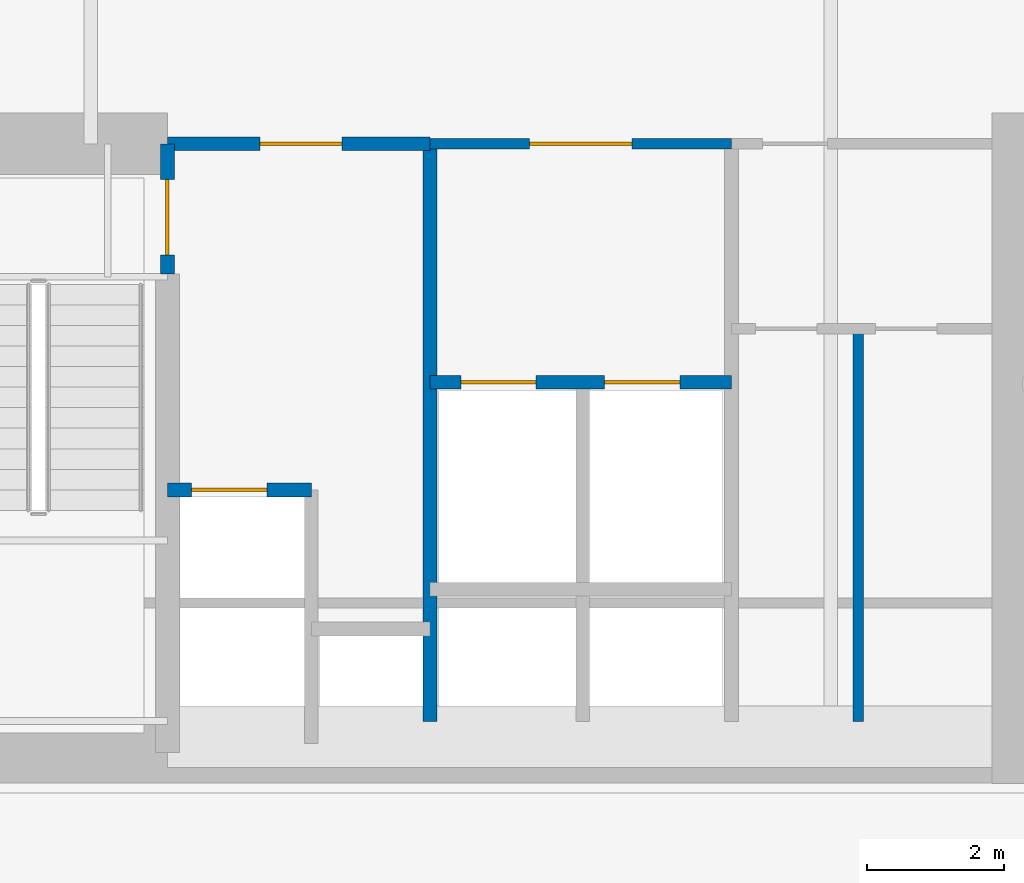
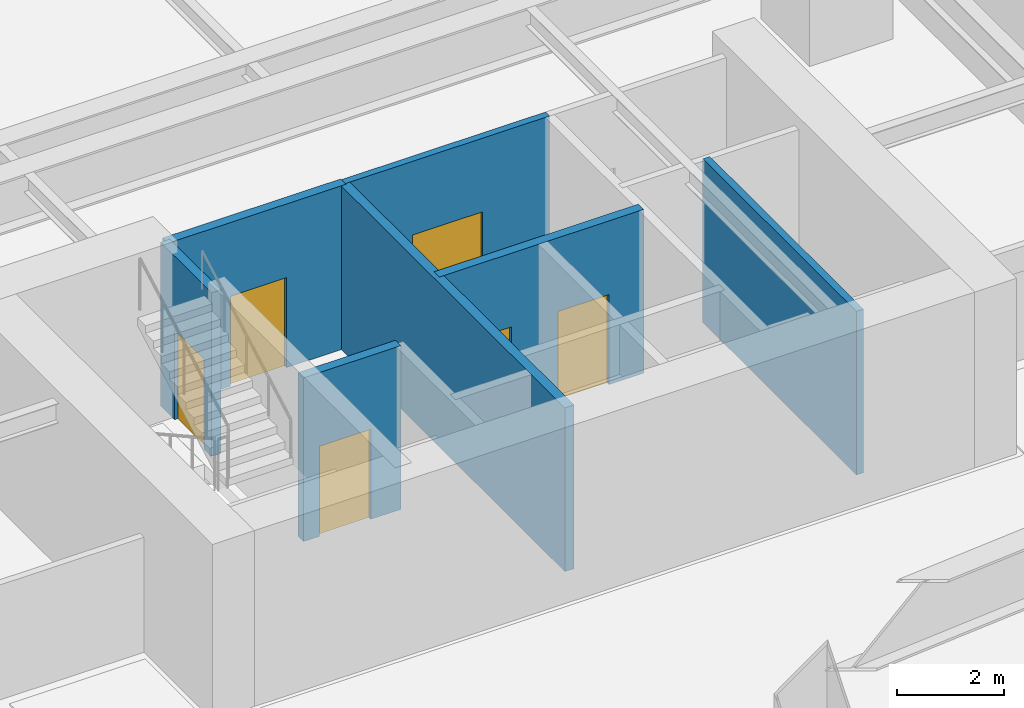
# One storey, part 13 of 25: 7 walls, 6 doors, 6 openings.
"""IFC4 building model written with IfcOpenShell, lengths in metres."""

from ifc_helpers import new_model, si_unit, direction, frame, frame_2d, origin, place, context, subcontext, project, spatial, rectangle, extrude, material, layer, layer_set, type_object, element, fill, save


model = new_model("IFC4")

# Units and contexts
model_context = context("Model", 3, precision=1e-05, world=origin(), true_north=direction((0.0, 1.0)))
body_context = subcontext(model_context, "Body", "Model", "MODEL_VIEW")
ifc_project = project(units=[si_unit("LENGTHUNIT", "METRE"), si_unit("AREAUNIT", "SQUARE_METRE"), si_unit("VOLUMEUNIT", "CUBIC_METRE"), si_unit("PLANEANGLEUNIT", "RADIAN"), si_unit("MASSUNIT", "GRAM", prefix="KILO")], contexts=[model_context])

# Site, building, storey
site_placement = place(None, origin())
site = spatial("IfcSite", under=ifc_project, at=site_placement, CompositionType="ELEMENT")
building_placement = place(site_placement, origin())
building = spatial("IfcBuilding", under=site, at=building_placement, Name="Qiaolan Cultural Towers", CompositionType="ELEMENT")
storey_placement = place(building_placement, frame((0.0, 0.0, 22.0)))
storey = spatial("IfcBuildingStorey", under=building, at=storey_placement, Name="L04", CompositionType="ELEMENT", Elevation=22.0)

# Wall, opening, door
ifc_material_1 = material(Name="Concrete C35 Fire Wall", Category="concrete")
ifc_layer_1 = layer(ifc_material_1, 0.199951171875)
ifc_layer_set_1 = layer_set([ifc_layer_1], Name="Concrete C35 Fire Wall")
wall_type_1 = type_object("IfcWallType", Name="WL-FIRE-200", PredefinedType="PARTITIONING", material=ifc_layer_set_1)
wall_1_placement = place(storey_placement, frame((25.719970703125, 21.60009765625, 0.0), z_axis=(0.0, 0.0, 1.0), x_axis=(0.0, -1.0, 0.0)))
wall_1 = element("IfcWall", 1, at=wall_1_placement, inside=storey, type_object=wall_type_1, Name="L04 T1-CS Smokeproof Stair Entry Wall", PredefinedType="PARTITIONING", context=body_context, shape_type="SweptSolid", body=[
    extrude(rectangle(XDim=1.900146484375, YDim=0.199951171875, at=frame_2d((0.9501953125, 0.0))), origin(), (0.0, 0.0, 1.0), 3.72509765625),
])
opening_1_placement = place(wall_1_placement, frame((0.52001953125, 0.0, 0.0)))
opening_1 = element("IfcOpeningElement", 2, at=opening_1_placement, cuts=wall_1, Name="Opening FD-04", PredefinedType="OPENING", context=body_context, shape_type="SweptSolid", body=[
    extrude(rectangle(XDim=1.10009765625, YDim=2.050048828125, at=frame_2d((0.550048828125, 1.02490234375))), frame((0.0, 0.10986328125, 0.0), z_axis=(0.0, -1.0, 0.0), x_axis=(1.0, 0.0, 0.0)), (0.0, 0.0, 1.0), 0.219970703125),
])
ifc_material_2 = material(Name="Galvanized Steel Command Fire Door", Category="steel")
door_type_1 = type_object("IfcDoorType", Name="DR-FD90-1100", OperationType="NOTDEFINED", PredefinedType="DOOR", material=ifc_material_2)
door_1_placement = place(opening_1_placement, origin())
door_1 = element("IfcDoor", 3, at=door_1_placement, inside=storey, type_object=door_type_1, Name="L04 ST-W1 Smokeproof Stair Fire Door", OperationType="SINGLE_SWING_LEFT", OverallHeight=2.050048828125, OverallWidth=1.10009765625, PredefinedType="DOOR", context=body_context, shape_type="SweptSolid", body=[
    extrude(rectangle(XDim=1.10009765625, YDim=2.050048828125, at=frame_2d((0.550048828125, 1.02490234375))), frame((0.0, 0.02490234375, 0.0), z_axis=(0.0, -1.0, 0.0), x_axis=(1.0, 0.0, 0.0)), (0.0, 0.0, 1.0), 0.050048828125),
])
fill(opening_1, door_1)

# Wall
wall_2_placement = place(storey_placement, frame((29.550048828125, 21.60009765625, 0.0), z_axis=(0.0, 0.0, 1.0), x_axis=(0.0, -1.0, 0.0)))
element("IfcWall", 4, at=wall_2_placement, inside=storey, type_object=wall_type_1, Name="L04 T1-CS Firefighting Zone Wall", PredefinedType="PARTITIONING", context=body_context, shape_type="SweptSolid", body=[
    extrude(rectangle(XDim=8.43017578125, YDim=0.199951171875, at=frame_2d((4.215087890625, 0.0))), origin(), (0.0, 0.0, 1.0), 3.72509765625),
])

# Wall, opening, door
wall_3_placement = place(storey_placement, frame((25.719970703125, 21.60009765625, 0.0), z_axis=(0.0, 0.0, 1.0), x_axis=(1.0, 0.0, 0.0)))
wall_3 = element("IfcWall", 5, at=wall_3_placement, inside=storey, type_object=wall_type_1, Name="L04 T1-CS Firefighting Lobby Front Wall", PredefinedType="PARTITIONING", context=body_context, shape_type="SweptSolid", body=[
    extrude(rectangle(XDim=3.830078125, YDim=0.199951171875, at=frame_2d((1.9150390625, 0.0))), origin(), (0.0, 0.0, 1.0), 3.72509765625),
])
opening_2_placement = place(wall_3_placement, frame((1.35009765625, 0.0, 0.0)))
opening_2 = element("IfcOpeningElement", 6, at=opening_2_placement, cuts=wall_3, Name="Opening FD-03", PredefinedType="OPENING", context=body_context, shape_type="SweptSolid", body=[
    extrude(rectangle(XDim=1.199951171875, YDim=2.050048828125, at=frame_2d((0.60009765625, 1.02490234375))), frame((0.0, 0.10986328125, 0.0), z_axis=(0.0, -1.0, 0.0), x_axis=(1.0, 0.0, 0.0)), (0.0, 0.0, 1.0), 0.219970703125),
])
ifc_material_3 = material(Name="Galvanized Steel Smokeproof Lobby Fire Door", Category="steel")
door_type_2 = type_object("IfcDoorType", Name="DR-FD90-1200", OperationType="NOTDEFINED", PredefinedType="DOOR", material=ifc_material_3)
door_2_placement = place(opening_2_placement, origin())
door_2 = element("IfcDoor", 7, at=door_2_placement, inside=storey, type_object=door_type_2, Name="L04 FFL-W1 Firefighting Lobby Fire Door", OperationType="SINGLE_SWING_LEFT", OverallHeight=2.050048828125, OverallWidth=1.199951171875, PredefinedType="DOOR", context=body_context, shape_type="SweptSolid", body=[
    extrude(rectangle(XDim=1.199951171875, YDim=2.050048828125, at=frame_2d((0.60009765625, 1.02490234375))), frame((0.0, 0.02490234375, 0.0), z_axis=(0.0, -1.0, 0.0), x_axis=(1.0, 0.0, 0.0)), (0.0, 0.0, 1.0), 0.050048828125),
])
fill(opening_2, door_2)

wall_4_placement = place(storey_placement, frame((25.719970703125, 16.550048828125, 0.0), z_axis=(0.0, 0.0, 1.0), x_axis=(1.0, 0.0, 0.0)))
wall_4 = element("IfcWall", 8, at=wall_4_placement, inside=storey, type_object=wall_type_1, Name="L04 T1-CS Firefighting Shaft Front Wall", PredefinedType="PARTITIONING", context=body_context, shape_type="SweptSolid", body=[
    extrude(rectangle(XDim=2.10009765625, YDim=0.199951171875, at=frame_2d((1.050048828125, 0.0))), origin(), (0.0, 0.0, 1.0), 3.72509765625),
])
opening_3_placement = place(wall_4_placement, frame((0.35009765625, 0.0, 0.0)))
opening_3 = element("IfcOpeningElement", 9, at=opening_3_placement, cuts=wall_4, Name="Opening LD-01", PredefinedType="OPENING", context=body_context, shape_type="SweptSolid", body=[
    extrude(rectangle(XDim=1.10009765625, YDim=2.050048828125, at=frame_2d((0.550048828125, 1.02490234375))), frame((0.0, 0.10986328125, 0.0), z_axis=(0.0, -1.0, 0.0), x_axis=(1.0, 0.0, 0.0)), (0.0, 0.0, 1.0), 0.219970703125),
])
ifc_material_4 = material(Name="Brushed Stainless Steel S30408 Centre-Parting Lift Landing Door", Category="steel")
door_type_3 = type_object("IfcDoorType", Name="DR-LIFT-1100", OperationType="NOTDEFINED", PredefinedType="DOOR", material=ifc_material_4)
door_3_placement = place(opening_3_placement, origin())
door_3 = element("IfcDoor", 10, at=door_3_placement, inside=storey, type_object=door_type_3, Name="L04 FFL-W1 Firefighting Lift Landing Door", OperationType="DOUBLE_DOOR_SLIDING", OverallHeight=2.050048828125, OverallWidth=1.10009765625, PredefinedType="DOOR", context=body_context, shape_type="SweptSolid", body=[
    extrude(rectangle(XDim=1.10009765625, YDim=2.050048828125, at=frame_2d((0.550048828125, 1.02490234375))), frame((0.0, 0.02490234375, 0.0), z_axis=(0.0, -1.0, 0.0), x_axis=(1.0, 0.0, 0.0)), (0.0, 0.0, 1.0), 0.050048828125),
])
fill(opening_3, door_3)

# Wall, openings, doors
wall_5_placement = place(storey_placement, frame((29.550048828125, 18.1201171875, 0.0), z_axis=(0.0, 0.0, 1.0), x_axis=(1.0, 0.0, 0.0)))
wall_5 = element("IfcWall", 11, at=wall_5_placement, inside=storey, type_object=wall_type_1, Name="L04 T1-CS Passenger Lift Shaft Front Wall", PredefinedType="PARTITIONING", context=body_context, shape_type="SweptSolid", body=[
    extrude(rectangle(XDim=4.39990234375, YDim=0.199951171875, at=frame_2d((2.199951171875, 0.0))), origin(), (0.0, 0.0, 1.0), 3.72509765625),
])
opening_4_placement = place(wall_5_placement, frame((0.449951171875, 0.0, 0.0)))
opening_4 = element("IfcOpeningElement", 12, at=opening_4_placement, cuts=wall_5, Name="Opening LD-01", PredefinedType="OPENING", context=body_context, shape_type="SweptSolid", body=[
    extrude(rectangle(XDim=1.10009765625, YDim=2.050048828125, at=frame_2d((0.550048828125, 1.02490234375))), frame((0.0, 0.10986328125, 0.0), z_axis=(0.0, -1.0, 0.0), x_axis=(1.0, 0.0, 0.0)), (0.0, 0.0, 1.0), 0.219970703125),
])
opening_5_placement = place(wall_5_placement, frame((2.550048828125, 0.0, 0.0)))
opening_5 = element("IfcOpeningElement", 13, at=opening_5_placement, cuts=wall_5, Name="Opening LD-01", PredefinedType="OPENING", context=body_context, shape_type="SweptSolid", body=[
    extrude(rectangle(XDim=1.10009765625, YDim=2.050048828125, at=frame_2d((0.550048828125, 1.02490234375))), frame((0.0, 0.10986328125, 0.0), z_axis=(0.0, -1.0, 0.0), x_axis=(1.0, 0.0, 0.0)), (0.0, 0.0, 1.0), 0.219970703125),
])
door_4_placement = place(opening_4_placement, origin())
door_4 = element("IfcDoor", 14, at=door_4_placement, inside=storey, type_object=door_type_3, Name="L04 Passenger Lift 1 Landing Door", OperationType="DOUBLE_DOOR_SLIDING", OverallHeight=2.050048828125, OverallWidth=1.10009765625, PredefinedType="DOOR", context=body_context, shape_type="SweptSolid", body=[
    extrude(rectangle(XDim=1.10009765625, YDim=2.050048828125, at=frame_2d((0.550048828125, 1.02490234375))), frame((0.0, 0.02490234375, 0.0), z_axis=(0.0, -1.0, 0.0), x_axis=(1.0, 0.0, 0.0)), (0.0, 0.0, 1.0), 0.050048828125),
])
fill(opening_4, door_4)
door_5_placement = place(opening_5_placement, origin())
door_5 = element("IfcDoor", 15, at=door_5_placement, inside=storey, type_object=door_type_3, Name="L04 Passenger Lift 2 Landing Door", OperationType="DOUBLE_DOOR_SLIDING", OverallHeight=2.050048828125, OverallWidth=1.10009765625, PredefinedType="DOOR", context=body_context, shape_type="SweptSolid", body=[
    extrude(rectangle(XDim=1.10009765625, YDim=2.050048828125, at=frame_2d((0.550048828125, 1.02490234375))), frame((0.0, 0.02490234375, 0.0), z_axis=(0.0, -1.0, 0.0), x_axis=(1.0, 0.0, 0.0)), (0.0, 0.0, 1.0), 0.050048828125),
])
fill(opening_5, door_5)

# Wall, opening, door
ifc_material_5 = material(Name="Autoclaved Aerated Concrete Block B06", Category="concrete")
ifc_layer_2 = layer(ifc_material_5, 0.14990234375)
ifc_layer_set_2 = layer_set([ifc_layer_2], Name="Autoclaved Aerated Concrete Block B06")
wall_type_2 = type_object("IfcWallType", Name="WL-PART-150", PredefinedType="PARTITIONING", material=ifc_layer_set_2)
wall_6_placement = place(storey_placement, frame((29.550048828125, 21.60009765625, 0.0), z_axis=(0.0, 0.0, 1.0), x_axis=(1.0, 0.0, 0.0)))
wall_6 = element("IfcWall", 16, at=wall_6_placement, inside=storey, type_object=wall_type_2, Name="L04 T1-CS Passenger Lift Lobby Front Wall", PredefinedType="PARTITIONING", context=body_context, shape_type="SweptSolid", body=[
    extrude(rectangle(XDim=4.39990234375, YDim=0.14990234375, at=frame_2d((2.199951171875, 0.0))), origin(), (0.0, 0.0, 1.0), 3.72509765625),
])
opening_6_placement = place(wall_6_placement, frame((1.449951171875, 0.0, 0.0)))
opening_6 = element("IfcOpeningElement", 17, at=opening_6_placement, cuts=wall_6, Name="Opening FD-05", PredefinedType="OPENING", context=body_context, shape_type="SweptSolid", body=[
    extrude(rectangle(XDim=1.5, YDim=2.050048828125, at=frame_2d((0.75, 1.02490234375))), frame((0.0, 0.0849609375, 0.0), z_axis=(0.0, -1.0, 0.0), x_axis=(1.0, 0.0, 0.0)), (0.0, 0.0, 1.0), 0.169921875),
])
ifc_material_6 = material(Name="Painted Steel Lift Lobby Fire Door", Category="steel")
door_type_4 = type_object("IfcDoorType", Name="DR-FD60-1500", OperationType="NOTDEFINED", PredefinedType="DOOR", material=ifc_material_6)
door_6_placement = place(opening_6_placement, origin())
door_6 = element("IfcDoor", 18, at=door_6_placement, inside=storey, type_object=door_type_4, Name="L04 Passenger Lift Lobby Entrance", OperationType="SINGLE_SWING_LEFT", OverallHeight=2.050048828125, OverallWidth=1.5, PredefinedType="DOOR", context=body_context, shape_type="SweptSolid", body=[
    extrude(rectangle(XDim=1.5, YDim=2.050048828125, at=frame_2d((0.75, 1.02490234375))), frame((0.0, 0.02490234375, 0.0), z_axis=(0.0, -1.0, 0.0), x_axis=(1.0, 0.0, 0.0)), (0.0, 0.0, 1.0), 0.050048828125),
])
fill(opening_6, door_6)

# Wall
wall_7_placement = place(storey_placement, frame((35.800048828125, 18.89990234375, 0.0), z_axis=(0.0, 0.0, 1.0), x_axis=(0.0, -1.0, 0.0)))
element("IfcWall", 19, at=wall_7_placement, inside=storey, type_object=wall_type_2, Name="L04 T1-CS Restroom Divider Wall", PredefinedType="PARTITIONING", context=body_context, shape_type="SweptSolid", body=[
    extrude(rectangle(XDim=5.72998046875, YDim=0.14990234375, at=frame_2d((2.864990234375, 0.0))), origin(), (0.0, 0.0, 1.0), 3.72509765625),
])

save(model, "model.ifc")
